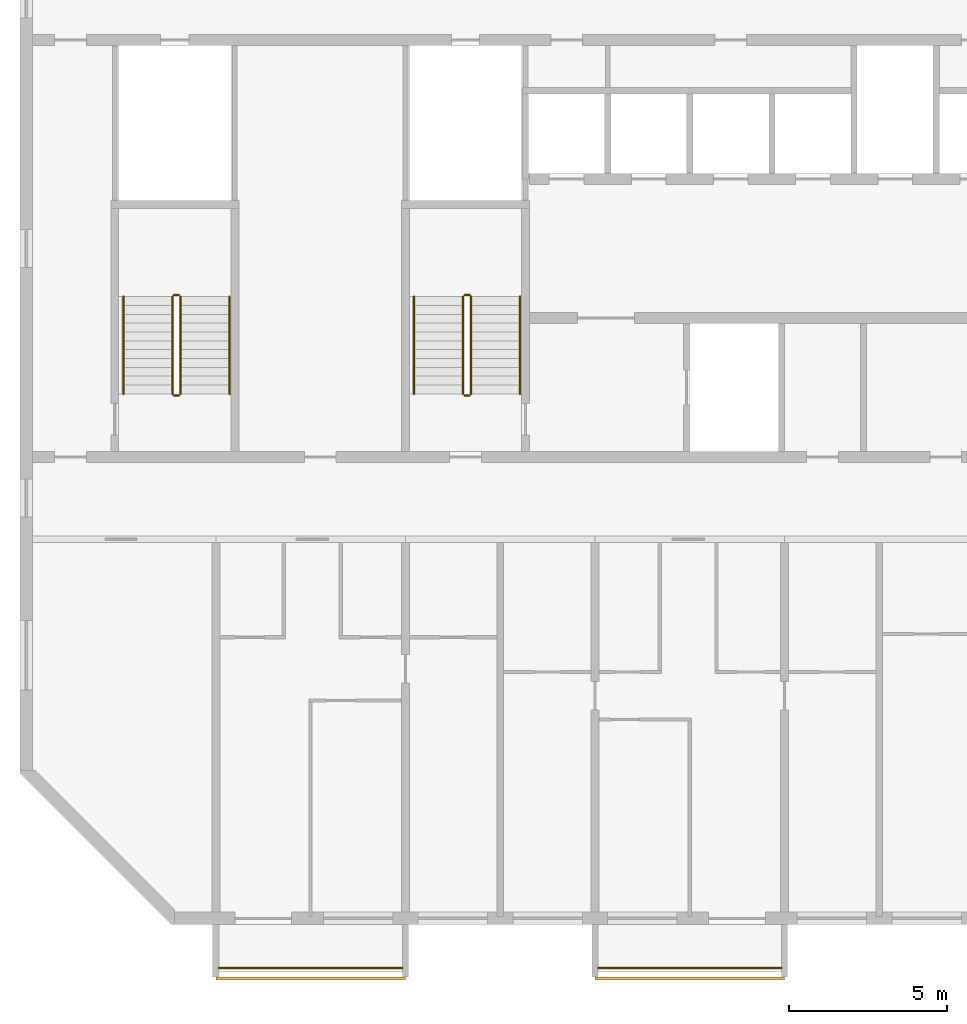
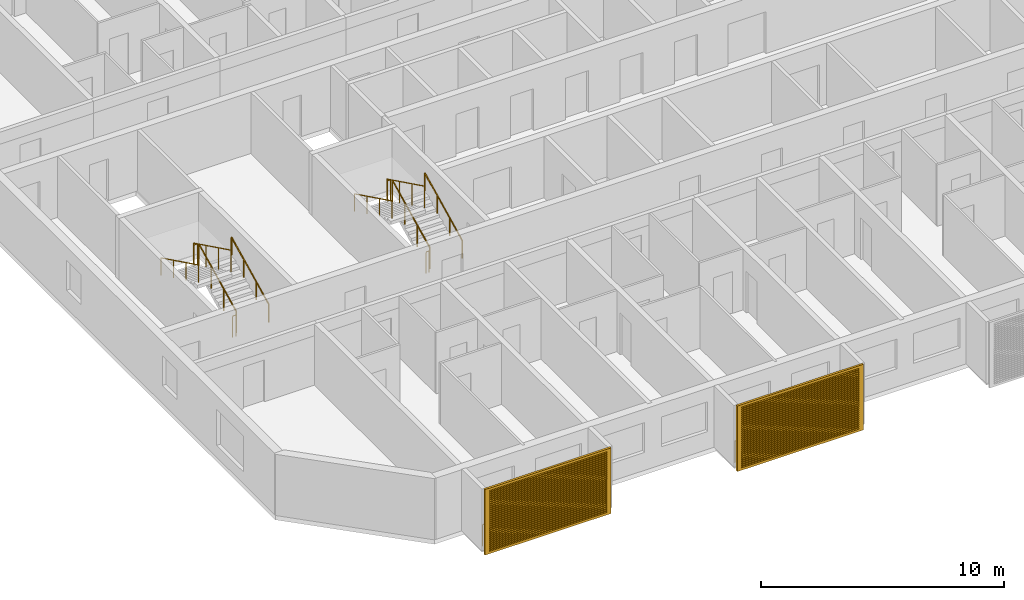
# One storey, part 13 of 29: 14 railings, 2 shading devices.
"""IFC4 building model written with IfcOpenShell, lengths in metres."""

from ifc_helpers import new_model, si_unit, direction, frame, origin, origin_2d, place, context, subcontext, project, spatial, polyline, circle, outline, extrude, source, transform, mapped, material, material_profile, profile_set, type_object, element, save


model = new_model("IFC4")

# Units and contexts
model_context = context("Model", 3, precision=1e-05, world=origin(), true_north=direction((0.0, 1.0)))
body_context = subcontext(model_context, "Body", "Model", "MODEL_VIEW")
ifc_project = project(units=[si_unit("LENGTHUNIT", "METRE"), si_unit("AREAUNIT", "SQUARE_METRE"), si_unit("VOLUMEUNIT", "CUBIC_METRE"), si_unit("PLANEANGLEUNIT", "RADIAN"), si_unit("MASSUNIT", "GRAM", prefix="KILO")], contexts=[model_context])

# Site, building, storey
site_placement = place(None, origin())
site = spatial("IfcSite", under=ifc_project, at=site_placement, CompositionType="ELEMENT")
building_placement = place(site_placement, origin())
building = spatial("IfcBuilding", under=site, at=building_placement, Name="Poui Terraces", CompositionType="ELEMENT")
storey_placement = place(building_placement, frame((0.0, 0.0, 237.89990234375)))
storey = spatial("IfcBuildingStorey", under=building, at=storey_placement, Name="L66", CompositionType="ELEMENT", Elevation=237.89990234375)

# Railings
ifc_material_1 = material(Name="Painted steel fretwork", Category="steel")
railing_type_1 = type_object("IfcRailingType", Name="BALCONY GUARD 1100", PredefinedType="GUARDRAIL", material=ifc_material_1)
for number, where, name in (
    (1, (24.10009765625, -1.570068359375, 0.0), "BALCONY GUARD"),
    (2, (36.10009765625, -1.570068359375, 0.0), "BALCONY GUARD"),
):
    element("IfcRailing", number, at=place(storey_placement, frame(where)), inside=storey, type_object=railing_type_1, Name=name, PredefinedType="GUARDRAIL", context=body_context, shape_type="SweptSolid", body=[
        extrude(circle(Radius=0.02392578125, at=origin_2d()), frame((0.0, 0.0, 1.076171875), z_axis=(1.0, 0.0, 0.0), x_axis=(0.0, 1.0, 0.0)), (0.0, 0.0, 1.0), 5.7998046875),
        extrude(circle(Radius=0.02099609375, at=origin_2d()), origin(), (0.0, 0.0, 1.0), 1.052001953125),
        extrude(circle(Radius=0.02099609375, at=origin_2d()), frame((0.966552734375, 0.0, 0.0)), (0.0, 0.0, 1.0), 1.052001953125),
        extrude(circle(Radius=0.02099609375, at=origin_2d()), frame((1.933349609375, 0.0, 0.0)), (0.0, 0.0, 1.0), 1.052001953125),
        extrude(circle(Radius=0.02099609375, at=origin_2d()), frame((2.89990234375, 0.0, 0.0)), (0.0, 0.0, 1.0), 1.052001953125),
        extrude(circle(Radius=0.02099609375, at=origin_2d()), frame((3.866455078125, 0.0, 0.0)), (0.0, 0.0, 1.0), 1.052001953125),
        extrude(circle(Radius=0.02099609375, at=origin_2d()), frame((4.833251953125, 0.0, 0.0)), (0.0, 0.0, 1.0), 1.052001953125),
        extrude(circle(Radius=0.02099609375, at=origin_2d()), frame((5.7998046875, 0.0, 0.0)), (0.0, 0.0, 1.0), 1.052001953125),
    ])
ifc_material_2 = material(Name="Galvanised steel balustrade", Category="steel")
railing_type_2 = type_object("IfcRailingType", Name="STAIR GUARD 1100", PredefinedType="GUARDRAIL", material=ifc_material_2)
railing_1_placement = place(storey_placement, frame((32.074951171875, 16.60009765625, 0.1376953125)))
element("IfcRailing", 3, at=railing_1_placement, inside=storey, type_object=railing_type_2, Name="L66 ST-CW stair guard 1", PredefinedType="GUARDRAIL", context=body_context, shape_type="SweptSolid", body=[
    extrude(circle(Radius=0.02392578125, at=origin_2d()), frame((0.0, 0.0, 1.076171875), z_axis=(0.0, 0.897606190399, 0.440798283751), x_axis=(-1.0, 0.0, 0.0)), (0.0, 0.0, 1.0), 3.43115234375),
    extrude(circle(Radius=0.02099609375, at=origin_2d()), origin(), (0.0, 0.0, 1.0), 1.052001953125),
    extrude(circle(Radius=0.02099609375, at=origin_2d()), frame((0.0, 1.026611328125, 0.504150390625)), (0.0, 0.0, 1.0), 1.052001953125),
    extrude(circle(Radius=0.02099609375, at=origin_2d()), frame((0.0, 2.05322265625, 1.00830078125)), (0.0, 0.0, 1.0), 1.052001953125),
    extrude(circle(Radius=0.02099609375, at=origin_2d()), frame((0.0, 3.079833984375, 1.512451171875)), (0.0, 0.0, 1.0), 1.052001953125),
])
railing_2_placement = place(storey_placement, frame((32.02490234375, 19.72998046875, 1.650146484375)))
element("IfcRailing", 4, at=railing_2_placement, inside=storey, type_object=railing_type_2, Name="L66 ST-CW stair guard 2", PredefinedType="GUARDRAIL", context=body_context, shape_type="SweptSolid", body=[
    extrude(circle(Radius=0.02392578125, at=origin_2d()), frame((0.0, 0.0, 1.076171875), z_axis=(-1.0, 0.0, 0.0), x_axis=(0.0, -1.0, 0.0)), (0.0, 0.0, 1.0), 0.14990234375),
    extrude(circle(Radius=0.02099609375, at=origin_2d()), origin(), (0.0, 0.0, 1.0), 1.052001953125),
    extrude(circle(Radius=0.02099609375, at=origin_2d()), frame((-0.14990234375, 0.0, 0.0)), (0.0, 0.0, 1.0), 1.052001953125),
])
railing_3_placement = place(storey_placement, frame((31.824951171875, 19.679931640625, 1.78759765625)))
element("IfcRailing", 5, at=railing_3_placement, inside=storey, type_object=railing_type_2, Name="L66 ST-CW stair guard 3", PredefinedType="GUARDRAIL", context=body_context, shape_type="SweptSolid", body=[
    extrude(circle(Radius=0.02392578125, at=origin_2d()), frame((0.0, 0.0, 1.076171875), z_axis=(0.0, -0.897606190399, 0.440798283751), x_axis=(1.0, 0.0, 0.0)), (0.0, 0.0, 1.0), 3.43115234375),
    extrude(circle(Radius=0.02099609375, at=origin_2d()), origin(), (0.0, 0.0, 1.0), 1.052001953125),
    extrude(circle(Radius=0.02099609375, at=origin_2d()), frame((0.0, -1.026611328125, 0.504150390625)), (0.0, 0.0, 1.0), 1.052001953125),
    extrude(circle(Radius=0.02099609375, at=origin_2d()), frame((0.0, -2.05322265625, 1.00830078125)), (0.0, 0.0, 1.0), 1.052001953125),
    extrude(circle(Radius=0.02099609375, at=origin_2d()), frame((0.0, -3.079833984375, 1.512451171875)), (0.0, 0.0, 1.0), 1.052001953125),
])
railing_4_placement = place(storey_placement, frame((32.02490234375, 16.550048828125, 0.0)))
element("IfcRailing", 6, at=railing_4_placement, inside=storey, type_object=railing_type_2, Name="L66 ST-CW stair guard 4", PredefinedType="GUARDRAIL", context=body_context, shape_type="SweptSolid", body=[
    extrude(circle(Radius=0.02392578125, at=origin_2d()), frame((0.0, 0.0, 1.076171875), z_axis=(-1.0, 0.0, 0.0), x_axis=(0.0, -1.0, 0.0)), (0.0, 0.0, 1.0), 0.14990234375),
    extrude(circle(Radius=0.02099609375, at=origin_2d()), origin(), (0.0, 0.0, 1.0), 1.052001953125),
    extrude(circle(Radius=0.02099609375, at=origin_2d()), frame((-0.14990234375, 0.0, 0.0)), (0.0, 0.0, 1.0), 1.052001953125),
])
railing_5_placement = place(storey_placement, frame((22.875, 16.60009765625, 0.1376953125)))
element("IfcRailing", 7, at=railing_5_placement, inside=storey, type_object=railing_type_2, Name="L66 ST-W stair guard 1", PredefinedType="GUARDRAIL", context=body_context, shape_type="SweptSolid", body=[
    extrude(circle(Radius=0.02392578125, at=origin_2d()), frame((0.0, 0.0, 1.076171875), z_axis=(0.0, 0.897606190399, 0.440798283751), x_axis=(-1.0, 0.0, 0.0)), (0.0, 0.0, 1.0), 3.43115234375),
    extrude(circle(Radius=0.02099609375, at=origin_2d()), origin(), (0.0, 0.0, 1.0), 1.052001953125),
    extrude(circle(Radius=0.02099609375, at=origin_2d()), frame((0.0, 1.026611328125, 0.504150390625)), (0.0, 0.0, 1.0), 1.052001953125),
    extrude(circle(Radius=0.02099609375, at=origin_2d()), frame((0.0, 2.05322265625, 1.00830078125)), (0.0, 0.0, 1.0), 1.052001953125),
    extrude(circle(Radius=0.02099609375, at=origin_2d()), frame((0.0, 3.079833984375, 1.512451171875)), (0.0, 0.0, 1.0), 1.052001953125),
])
railing_6_placement = place(storey_placement, frame((22.824951171875, 19.72998046875, 1.650146484375)))
element("IfcRailing", 8, at=railing_6_placement, inside=storey, type_object=railing_type_2, Name="L66 ST-W stair guard 2", PredefinedType="GUARDRAIL", context=body_context, shape_type="SweptSolid", body=[
    extrude(circle(Radius=0.02392578125, at=origin_2d()), frame((0.0, 0.0, 1.076171875), z_axis=(-1.0, 0.0, 0.0), x_axis=(0.0, -1.0, 0.0)), (0.0, 0.0, 1.0), 0.14990234375),
    extrude(circle(Radius=0.02099609375, at=origin_2d()), origin(), (0.0, 0.0, 1.0), 1.052001953125),
    extrude(circle(Radius=0.02099609375, at=origin_2d()), frame((-0.14990234375, 0.0, 0.0)), (0.0, 0.0, 1.0), 1.052001953125),
])
railing_7_placement = place(storey_placement, frame((22.625, 19.679931640625, 1.78759765625)))
element("IfcRailing", 9, at=railing_7_placement, inside=storey, type_object=railing_type_2, Name="L66 ST-W stair guard 3", PredefinedType="GUARDRAIL", context=body_context, shape_type="SweptSolid", body=[
    extrude(circle(Radius=0.02392578125, at=origin_2d()), frame((0.0, 0.0, 1.076171875), z_axis=(0.0, -0.897606190399, 0.440798283751), x_axis=(1.0, 0.0, 0.0)), (0.0, 0.0, 1.0), 3.43115234375),
    extrude(circle(Radius=0.02099609375, at=origin_2d()), origin(), (0.0, 0.0, 1.0), 1.052001953125),
    extrude(circle(Radius=0.02099609375, at=origin_2d()), frame((0.0, -1.026611328125, 0.504150390625)), (0.0, 0.0, 1.0), 1.052001953125),
    extrude(circle(Radius=0.02099609375, at=origin_2d()), frame((0.0, -2.05322265625, 1.00830078125)), (0.0, 0.0, 1.0), 1.052001953125),
    extrude(circle(Radius=0.02099609375, at=origin_2d()), frame((0.0, -3.079833984375, 1.512451171875)), (0.0, 0.0, 1.0), 1.052001953125),
])
railing_8_placement = place(storey_placement, frame((22.824951171875, 16.550048828125, 0.0)))
element("IfcRailing", 10, at=railing_8_placement, inside=storey, type_object=railing_type_2, Name="L66 ST-W stair guard 4", PredefinedType="GUARDRAIL", context=body_context, shape_type="SweptSolid", body=[
    extrude(circle(Radius=0.02392578125, at=origin_2d()), frame((0.0, 0.0, 1.076171875), z_axis=(-1.0, 0.0, 0.0), x_axis=(0.0, -1.0, 0.0)), (0.0, 0.0, 1.0), 0.14990234375),
    extrude(circle(Radius=0.02099609375, at=origin_2d()), origin(), (0.0, 0.0, 1.0), 1.052001953125),
    extrude(circle(Radius=0.02099609375, at=origin_2d()), frame((-0.14990234375, 0.0, 0.0)), (0.0, 0.0, 1.0), 1.052001953125),
])
ifc_material_3 = material(Name="Stainless steel handrail", Category="steel")
railing_type_3 = type_object("IfcRailingType", Name="STAIR HANDRAIL 900", PredefinedType="HANDRAIL", material=ifc_material_3)
railing_9_placement = place(storey_placement, frame((33.625, 16.60009765625, 0.1376953125)))
element("IfcRailing", 11, at=railing_9_placement, inside=storey, type_object=railing_type_3, Name="L66 ST-CW stair handrail 1", PredefinedType="HANDRAIL", context=body_context, shape_type="SweptSolid", body=[
    extrude(circle(Radius=0.02392578125, at=origin_2d()), frame((0.0, 0.0, 0.8759765625), z_axis=(0.0, 0.897606190399, 0.440798283751), x_axis=(-1.0, 0.0, 0.0)), (0.0, 0.0, 1.0), 3.43115234375),
    extrude(circle(Radius=0.02099609375, at=origin_2d()), origin(), (0.0, 0.0, 1.0), 0.851806640625),
    extrude(circle(Radius=0.02099609375, at=origin_2d()), frame((0.0, 1.026611328125, 0.504150390625)), (0.0, 0.0, 1.0), 0.851806640625),
    extrude(circle(Radius=0.02099609375, at=origin_2d()), frame((0.0, 2.05322265625, 1.00830078125)), (0.0, 0.0, 1.0), 0.851806640625),
    extrude(circle(Radius=0.02099609375, at=origin_2d()), frame((0.0, 3.079833984375, 1.512451171875)), (0.0, 0.0, 1.0), 0.851806640625),
])
railing_10_placement = place(storey_placement, frame((30.27490234375, 19.679931640625, 1.78759765625)))
element("IfcRailing", 12, at=railing_10_placement, inside=storey, type_object=railing_type_3, Name="L66 ST-CW stair handrail 2", PredefinedType="HANDRAIL", context=body_context, shape_type="SweptSolid", body=[
    extrude(circle(Radius=0.02392578125, at=origin_2d()), frame((0.0, 0.0, 0.8759765625), z_axis=(0.0, -0.897606190399, 0.440798283751), x_axis=(1.0, 0.0, 0.0)), (0.0, 0.0, 1.0), 3.43115234375),
    extrude(circle(Radius=0.02099609375, at=origin_2d()), origin(), (0.0, 0.0, 1.0), 0.851806640625),
    extrude(circle(Radius=0.02099609375, at=origin_2d()), frame((0.0, -1.026611328125, 0.504150390625)), (0.0, 0.0, 1.0), 0.851806640625),
    extrude(circle(Radius=0.02099609375, at=origin_2d()), frame((0.0, -2.05322265625, 1.00830078125)), (0.0, 0.0, 1.0), 0.851806640625),
    extrude(circle(Radius=0.02099609375, at=origin_2d()), frame((0.0, -3.079833984375, 1.512451171875)), (0.0, 0.0, 1.0), 0.851806640625),
])
railing_11_placement = place(storey_placement, frame((24.425048828125, 16.60009765625, 0.1376953125)))
element("IfcRailing", 13, at=railing_11_placement, inside=storey, type_object=railing_type_3, Name="L66 ST-W stair handrail 1", PredefinedType="HANDRAIL", context=body_context, shape_type="SweptSolid", body=[
    extrude(circle(Radius=0.02392578125, at=origin_2d()), frame((0.0, 0.0, 0.8759765625), z_axis=(0.0, 0.897606190399, 0.440798283751), x_axis=(-1.0, 0.0, 0.0)), (0.0, 0.0, 1.0), 3.43115234375),
    extrude(circle(Radius=0.02099609375, at=origin_2d()), origin(), (0.0, 0.0, 1.0), 0.851806640625),
    extrude(circle(Radius=0.02099609375, at=origin_2d()), frame((0.0, 1.026611328125, 0.504150390625)), (0.0, 0.0, 1.0), 0.851806640625),
    extrude(circle(Radius=0.02099609375, at=origin_2d()), frame((0.0, 2.05322265625, 1.00830078125)), (0.0, 0.0, 1.0), 0.851806640625),
    extrude(circle(Radius=0.02099609375, at=origin_2d()), frame((0.0, 3.079833984375, 1.512451171875)), (0.0, 0.0, 1.0), 0.851806640625),
])
railing_12_placement = place(storey_placement, frame((21.074951171875, 19.679931640625, 1.78759765625)))
element("IfcRailing", 14, at=railing_12_placement, inside=storey, type_object=railing_type_3, Name="L66 ST-W stair handrail 2", PredefinedType="HANDRAIL", context=body_context, shape_type="SweptSolid", body=[
    extrude(circle(Radius=0.02392578125, at=origin_2d()), frame((0.0, 0.0, 0.8759765625), z_axis=(0.0, -0.897606190399, 0.440798283751), x_axis=(1.0, 0.0, 0.0)), (0.0, 0.0, 1.0), 3.43115234375),
    extrude(circle(Radius=0.02099609375, at=origin_2d()), origin(), (0.0, 0.0, 1.0), 0.851806640625),
    extrude(circle(Radius=0.02099609375, at=origin_2d()), frame((0.0, -1.026611328125, 0.504150390625)), (0.0, 0.0, 1.0), 0.851806640625),
    extrude(circle(Radius=0.02099609375, at=origin_2d()), frame((0.0, -2.05322265625, 1.00830078125)), (0.0, 0.0, 1.0), 0.851806640625),
    extrude(circle(Radius=0.02099609375, at=origin_2d()), frame((0.0, -3.079833984375, 1.512451171875)), (0.0, 0.0, 1.0), 0.851806640625),
])

# Shading devices
ifc_material_4 = material(Name="Aluminium louvre", Category="aluminium")
ifc_material_profile = material_profile(ifc_material_4, outline(polyline([(-3.0, -1.64990234375), (3.0, -1.64990234375), (3.0, 1.64990234375), (-3.0, 1.64990234375), (-3.0, -1.64990234375)]), holes=[polyline([(-2.800048828125, -1.530029296875), (2.800048828125, -1.530029296875), (2.800048828125, -1.469970703125), (-2.800048828125, -1.469970703125), (-2.800048828125, -1.530029296875)]), polyline([(-2.800048828125, -1.429931640625), (2.800048828125, -1.429931640625), (2.800048828125, -1.3701171875), (-2.800048828125, -1.3701171875), (-2.800048828125, -1.429931640625)]), polyline([(-2.800048828125, -1.330078125), (2.800048828125, -1.330078125), (2.800048828125, -1.27001953125), (-2.800048828125, -1.27001953125), (-2.800048828125, -1.330078125)]), polyline([(-2.800048828125, -1.22998046875), (2.800048828125, -1.22998046875), (2.800048828125, -1.169921875), (-2.800048828125, -1.169921875), (-2.800048828125, -1.22998046875)]), polyline([(-2.800048828125, -1.1298828125), (2.800048828125, -1.1298828125), (2.800048828125, -1.070068359375), (-2.800048828125, -1.070068359375), (-2.800048828125, -1.1298828125)]), polyline([(-2.800048828125, -1.030029296875), (2.800048828125, -1.030029296875), (2.800048828125, -0.969970703125), (-2.800048828125, -0.969970703125), (-2.800048828125, -1.030029296875)]), polyline([(-2.800048828125, -0.929931640625), (2.800048828125, -0.929931640625), (2.800048828125, -0.8701171875), (-2.800048828125, -0.8701171875), (-2.800048828125, -0.929931640625)]), polyline([(-2.800048828125, -0.830078125), (2.800048828125, -0.830078125), (2.800048828125, -0.77001953125), (-2.800048828125, -0.77001953125), (-2.800048828125, -0.830078125)]), polyline([(-2.800048828125, -0.72998046875), (2.800048828125, -0.72998046875), (2.800048828125, -0.669921875), (-2.800048828125, -0.669921875), (-2.800048828125, -0.72998046875)]), polyline([(-2.800048828125, -0.6298828125), (2.800048828125, -0.6298828125), (2.800048828125, -0.570068359375), (-2.800048828125, -0.570068359375), (-2.800048828125, -0.6298828125)]), polyline([(-2.800048828125, -0.530029296875), (2.800048828125, -0.530029296875), (2.800048828125, -0.469970703125), (-2.800048828125, -0.469970703125), (-2.800048828125, -0.530029296875)]), polyline([(-2.800048828125, -0.429931640625), (2.800048828125, -0.429931640625), (2.800048828125, -0.3701171875), (-2.800048828125, -0.3701171875), (-2.800048828125, -0.429931640625)]), polyline([(-2.800048828125, -0.330078125), (2.800048828125, -0.330078125), (2.800048828125, -0.27001953125), (-2.800048828125, -0.27001953125), (-2.800048828125, -0.330078125)]), polyline([(-2.800048828125, -0.22998046875), (2.800048828125, -0.22998046875), (2.800048828125, -0.169921875), (-2.800048828125, -0.169921875), (-2.800048828125, -0.22998046875)]), polyline([(-2.800048828125, -0.1298828125), (2.800048828125, -0.1298828125), (2.800048828125, -0.070068359375), (-2.800048828125, -0.070068359375), (-2.800048828125, -0.1298828125)]), polyline([(-2.800048828125, -0.030029296875), (2.800048828125, -0.030029296875), (2.800048828125, 0.030029296875), (-2.800048828125, 0.030029296875), (-2.800048828125, -0.030029296875)]), polyline([(-2.800048828125, 0.070068359375), (2.800048828125, 0.070068359375), (2.800048828125, 0.1298828125), (-2.800048828125, 0.1298828125), (-2.800048828125, 0.070068359375)]), polyline([(-2.800048828125, 0.169921875), (2.800048828125, 0.169921875), (2.800048828125, 0.22998046875), (-2.800048828125, 0.22998046875), (-2.800048828125, 0.169921875)]), polyline([(-2.800048828125, 0.27001953125), (2.800048828125, 0.27001953125), (2.800048828125, 0.330078125), (-2.800048828125, 0.330078125), (-2.800048828125, 0.27001953125)]), polyline([(-2.800048828125, 0.3701171875), (2.800048828125, 0.3701171875), (2.800048828125, 0.429931640625), (-2.800048828125, 0.429931640625), (-2.800048828125, 0.3701171875)]), polyline([(-2.800048828125, 0.469970703125), (2.800048828125, 0.469970703125), (2.800048828125, 0.530029296875), (-2.800048828125, 0.530029296875), (-2.800048828125, 0.469970703125)]), polyline([(-2.800048828125, 0.570068359375), (2.800048828125, 0.570068359375), (2.800048828125, 0.6298828125), (-2.800048828125, 0.6298828125), (-2.800048828125, 0.570068359375)]), polyline([(-2.800048828125, 0.669921875), (2.800048828125, 0.669921875), (2.800048828125, 0.72998046875), (-2.800048828125, 0.72998046875), (-2.800048828125, 0.669921875)]), polyline([(-2.800048828125, 0.77001953125), (2.800048828125, 0.77001953125), (2.800048828125, 0.830078125), (-2.800048828125, 0.830078125), (-2.800048828125, 0.77001953125)]), polyline([(-2.800048828125, 0.8701171875), (2.800048828125, 0.8701171875), (2.800048828125, 0.929931640625), (-2.800048828125, 0.929931640625), (-2.800048828125, 0.8701171875)]), polyline([(-2.800048828125, 0.969970703125), (2.800048828125, 0.969970703125), (2.800048828125, 1.030029296875), (-2.800048828125, 1.030029296875), (-2.800048828125, 0.969970703125)]), polyline([(-2.800048828125, 1.070068359375), (2.800048828125, 1.070068359375), (2.800048828125, 1.1298828125), (-2.800048828125, 1.1298828125), (-2.800048828125, 1.070068359375)]), polyline([(-2.800048828125, 1.169921875), (2.800048828125, 1.169921875), (2.800048828125, 1.22998046875), (-2.800048828125, 1.22998046875), (-2.800048828125, 1.169921875)]), polyline([(-2.800048828125, 1.27001953125), (2.800048828125, 1.27001953125), (2.800048828125, 1.330078125), (-2.800048828125, 1.330078125), (-2.800048828125, 1.27001953125)]), polyline([(-2.800048828125, 1.3701171875), (2.800048828125, 1.3701171875), (2.800048828125, 1.429931640625), (-2.800048828125, 1.429931640625), (-2.800048828125, 1.3701171875)]), polyline([(-2.800048828125, 1.469970703125), (2.800048828125, 1.469970703125), (2.800048828125, 1.530029296875), (-2.800048828125, 1.530029296875), (-2.800048828125, 1.469970703125)])]), Name="JALOUSIE LOUVRE SHUTTER 6000X3300")
ifc_profile_set = profile_set([ifc_material_profile], Name="Aluminium louvre")
shading_device_type = type_object("IfcShadingDeviceType", Name="JALOUSIE LOUVRE SHUTTER 6000X3300", PredefinedType="JALOUSIE", material=ifc_profile_set)
shared_shape = source(origin(), body_context, "Body", "SweptSolid", [
    extrude(outline(polyline([(-3.0, -1.64990234375), (3.0, -1.64990234375), (3.0, 1.64990234375), (-3.0, 1.64990234375), (-3.0, -1.64990234375)]), holes=[polyline([(-2.800048828125, -1.530029296875), (2.800048828125, -1.530029296875), (2.800048828125, -1.469970703125), (-2.800048828125, -1.469970703125), (-2.800048828125, -1.530029296875)]), polyline([(-2.800048828125, -1.429931640625), (2.800048828125, -1.429931640625), (2.800048828125, -1.3701171875), (-2.800048828125, -1.3701171875), (-2.800048828125, -1.429931640625)]), polyline([(-2.800048828125, -1.330078125), (2.800048828125, -1.330078125), (2.800048828125, -1.27001953125), (-2.800048828125, -1.27001953125), (-2.800048828125, -1.330078125)]), polyline([(-2.800048828125, -1.22998046875), (2.800048828125, -1.22998046875), (2.800048828125, -1.169921875), (-2.800048828125, -1.169921875), (-2.800048828125, -1.22998046875)]), polyline([(-2.800048828125, -1.1298828125), (2.800048828125, -1.1298828125), (2.800048828125, -1.070068359375), (-2.800048828125, -1.070068359375), (-2.800048828125, -1.1298828125)]), polyline([(-2.800048828125, -1.030029296875), (2.800048828125, -1.030029296875), (2.800048828125, -0.969970703125), (-2.800048828125, -0.969970703125), (-2.800048828125, -1.030029296875)]), polyline([(-2.800048828125, -0.929931640625), (2.800048828125, -0.929931640625), (2.800048828125, -0.8701171875), (-2.800048828125, -0.8701171875), (-2.800048828125, -0.929931640625)]), polyline([(-2.800048828125, -0.830078125), (2.800048828125, -0.830078125), (2.800048828125, -0.77001953125), (-2.800048828125, -0.77001953125), (-2.800048828125, -0.830078125)]), polyline([(-2.800048828125, -0.72998046875), (2.800048828125, -0.72998046875), (2.800048828125, -0.669921875), (-2.800048828125, -0.669921875), (-2.800048828125, -0.72998046875)]), polyline([(-2.800048828125, -0.6298828125), (2.800048828125, -0.6298828125), (2.800048828125, -0.570068359375), (-2.800048828125, -0.570068359375), (-2.800048828125, -0.6298828125)]), polyline([(-2.800048828125, -0.530029296875), (2.800048828125, -0.530029296875), (2.800048828125, -0.469970703125), (-2.800048828125, -0.469970703125), (-2.800048828125, -0.530029296875)]), polyline([(-2.800048828125, -0.429931640625), (2.800048828125, -0.429931640625), (2.800048828125, -0.3701171875), (-2.800048828125, -0.3701171875), (-2.800048828125, -0.429931640625)]), polyline([(-2.800048828125, -0.330078125), (2.800048828125, -0.330078125), (2.800048828125, -0.27001953125), (-2.800048828125, -0.27001953125), (-2.800048828125, -0.330078125)]), polyline([(-2.800048828125, -0.22998046875), (2.800048828125, -0.22998046875), (2.800048828125, -0.169921875), (-2.800048828125, -0.169921875), (-2.800048828125, -0.22998046875)]), polyline([(-2.800048828125, -0.1298828125), (2.800048828125, -0.1298828125), (2.800048828125, -0.070068359375), (-2.800048828125, -0.070068359375), (-2.800048828125, -0.1298828125)]), polyline([(-2.800048828125, -0.030029296875), (2.800048828125, -0.030029296875), (2.800048828125, 0.030029296875), (-2.800048828125, 0.030029296875), (-2.800048828125, -0.030029296875)]), polyline([(-2.800048828125, 0.070068359375), (2.800048828125, 0.070068359375), (2.800048828125, 0.1298828125), (-2.800048828125, 0.1298828125), (-2.800048828125, 0.070068359375)]), polyline([(-2.800048828125, 0.169921875), (2.800048828125, 0.169921875), (2.800048828125, 0.22998046875), (-2.800048828125, 0.22998046875), (-2.800048828125, 0.169921875)]), polyline([(-2.800048828125, 0.27001953125), (2.800048828125, 0.27001953125), (2.800048828125, 0.330078125), (-2.800048828125, 0.330078125), (-2.800048828125, 0.27001953125)]), polyline([(-2.800048828125, 0.3701171875), (2.800048828125, 0.3701171875), (2.800048828125, 0.429931640625), (-2.800048828125, 0.429931640625), (-2.800048828125, 0.3701171875)]), polyline([(-2.800048828125, 0.469970703125), (2.800048828125, 0.469970703125), (2.800048828125, 0.530029296875), (-2.800048828125, 0.530029296875), (-2.800048828125, 0.469970703125)]), polyline([(-2.800048828125, 0.570068359375), (2.800048828125, 0.570068359375), (2.800048828125, 0.6298828125), (-2.800048828125, 0.6298828125), (-2.800048828125, 0.570068359375)]), polyline([(-2.800048828125, 0.669921875), (2.800048828125, 0.669921875), (2.800048828125, 0.72998046875), (-2.800048828125, 0.72998046875), (-2.800048828125, 0.669921875)]), polyline([(-2.800048828125, 0.77001953125), (2.800048828125, 0.77001953125), (2.800048828125, 0.830078125), (-2.800048828125, 0.830078125), (-2.800048828125, 0.77001953125)]), polyline([(-2.800048828125, 0.8701171875), (2.800048828125, 0.8701171875), (2.800048828125, 0.929931640625), (-2.800048828125, 0.929931640625), (-2.800048828125, 0.8701171875)]), polyline([(-2.800048828125, 0.969970703125), (2.800048828125, 0.969970703125), (2.800048828125, 1.030029296875), (-2.800048828125, 1.030029296875), (-2.800048828125, 0.969970703125)]), polyline([(-2.800048828125, 1.070068359375), (2.800048828125, 1.070068359375), (2.800048828125, 1.1298828125), (-2.800048828125, 1.1298828125), (-2.800048828125, 1.070068359375)]), polyline([(-2.800048828125, 1.169921875), (2.800048828125, 1.169921875), (2.800048828125, 1.22998046875), (-2.800048828125, 1.22998046875), (-2.800048828125, 1.169921875)]), polyline([(-2.800048828125, 1.27001953125), (2.800048828125, 1.27001953125), (2.800048828125, 1.330078125), (-2.800048828125, 1.330078125), (-2.800048828125, 1.27001953125)]), polyline([(-2.800048828125, 1.3701171875), (2.800048828125, 1.3701171875), (2.800048828125, 1.429931640625), (-2.800048828125, 1.429931640625), (-2.800048828125, 1.3701171875)]), polyline([(-2.800048828125, 1.469970703125), (2.800048828125, 1.469970703125), (2.800048828125, 1.530029296875), (-2.800048828125, 1.530029296875), (-2.800048828125, 1.469970703125)])]), origin(), (0.0, 0.0, 1.0), 0.099853515625),
])
for number, where, z_axis, x_axis, name in (
    (15, (27.0, -1.85009765625, 1.4501953125), (0.0, -1.0, 0.0), (1.0, 0.0, 0.0), "JALOUSIE LOUVRE SHUTTER"),
    (16, (39.0, -1.85009765625, 1.4501953125), (0.0, -1.0, 0.0), (1.0, 0.0, 0.0), "JALOUSIE LOUVRE SHUTTER"),
):
    element("IfcShadingDevice", number, at=place(storey_placement, frame(where, z_axis=z_axis, x_axis=x_axis)), inside=storey, type_object=shading_device_type, Name=name, PredefinedType="JALOUSIE", context=body_context, shape_type="MappedRepresentation", body=[
        mapped(shared_shape, transform((0.0, 0.0, 0.0))),
    ])

save(model, "model.ifc")
